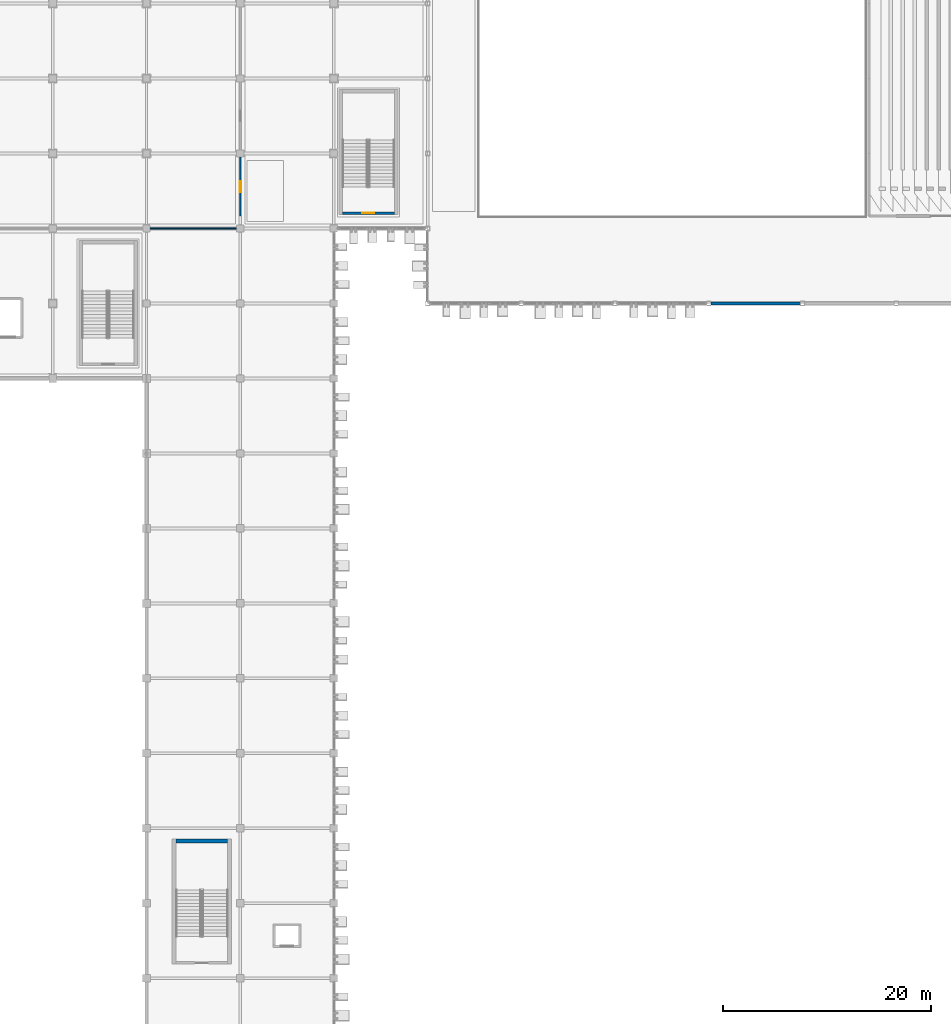
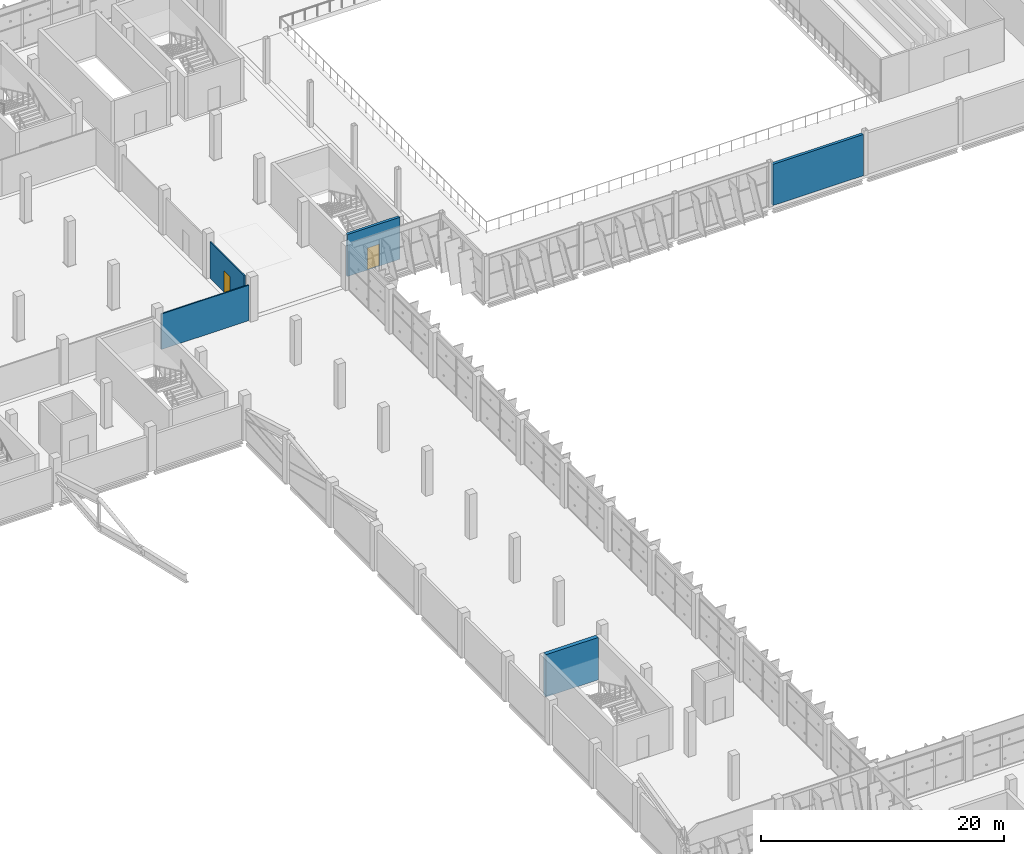
# One storey, part 114 of 151: 5 walls, 2 doors, 2 openings.
"""IFC4 building model written with IfcOpenShell, lengths in metres."""

from ifc_helpers import new_model, si_unit, direction, frame, frame_2d, origin, place, context, subcontext, project, spatial, rectangle, extrude, material, layer, layer_set, type_object, element, fill, save


model = new_model("IFC4")

# Units and contexts
model_context = context("Model", 3, precision=1e-05, world=origin(), true_north=direction((0.0, 1.0)))
body_context = subcontext(model_context, "Body", "Model", "MODEL_VIEW")
ifc_project = project(units=[si_unit("LENGTHUNIT", "METRE"), si_unit("AREAUNIT", "SQUARE_METRE"), si_unit("VOLUMEUNIT", "CUBIC_METRE"), si_unit("PLANEANGLEUNIT", "RADIAN"), si_unit("MASSUNIT", "GRAM", prefix="KILO")], contexts=[model_context])

# Site, building, storey
site_placement = place(None, origin())
site = spatial("IfcSite", under=ifc_project, at=site_placement, CompositionType="ELEMENT")
building_placement = place(site_placement, origin())
building = spatial("IfcBuilding", under=site, at=building_placement, Name="Celestram Park Convention Centre", CompositionType="ELEMENT")
storey_placement = place(building_placement, frame((0.0, 0.0, 10.800048828125)))
storey = spatial("IfcBuildingStorey", under=building, at=storey_placement, Name="L02", CompositionType="ELEMENT", Elevation=10.800048828125)

# Wall, opening, door
ifc_material_1 = material(Name="Concrete Block Masonry C25/30", Category="masonry")
ifc_layer_1 = layer(ifc_material_1, 0.25)
ifc_layer_set_1 = layer_set([ifc_layer_1], Name="Concrete Block Masonry C25/30")
wall_type_1 = type_object("IfcWallType", Name="ARC-WL-COR250", PredefinedType="STANDARD", material=ifc_layer_set_1)
wall_1_placement = place(storey_placement, frame((144.840087890625, 123.875, 0.0), z_axis=(0.0, 0.0, 1.0), x_axis=(1.0, 0.0, 0.0)))
wall_1 = element("IfcWall", 1, at=wall_1_placement, inside=storey, type_object=wall_type_1, Name="Core S10 stair entrance wall", PredefinedType="STANDARD", context=body_context, shape_type="SweptSolid", body=[
    extrude(rectangle(XDim=4.9599609375, YDim=0.25, at=frame_2d((2.47998046875, 0.0))), origin(), (0.0, 0.0, 1.0), 4.219970703125),
])
opening_1_placement = place(wall_1_placement, frame((1.905029296875, 0.0, 0.0)))
opening_1 = element("IfcOpeningElement", 2, at=opening_1_placement, cuts=wall_1, Name="Opening D-ST1", PredefinedType="OPENING", context=body_context, shape_type="SweptSolid", body=[
    extrude(rectangle(XDim=1.14990234375, YDim=2.199951171875, at=frame_2d((0.574951171875, 1.10009765625))), frame((0.0, 0.135009765625, 0.0), z_axis=(0.0, -1.0, 0.0), x_axis=(1.0, 0.0, 0.0)), (0.0, 0.0, 1.0), 0.27001953125),
])
ifc_material_2 = material(Name="Fire-Rated Hollow Metal Steel ASTM A653", Category="steel")
door_type_1 = type_object("IfcDoorType", Name="ARC-DR-ST115", OperationType="NOTDEFINED", PredefinedType="DOOR", material=ifc_material_2)
door_1_placement = place(opening_1_placement, origin())
door_1 = element("IfcDoor", 3, at=door_1_placement, inside=storey, type_object=door_type_1, Name="Exit stair ST-10 fire door", OperationType="SINGLE_SWING_LEFT", OverallHeight=2.199951171875, OverallWidth=1.14990234375, PredefinedType="DOOR", context=body_context, shape_type="SweptSolid", body=[
    extrude(rectangle(XDim=1.14990234375, YDim=2.199951171875, at=frame_2d((0.574951171875, 1.10009765625))), frame((0.0, 0.02490234375, 0.0), z_axis=(0.0, -1.0, 0.0), x_axis=(1.0, 0.0, 0.0)), (0.0, 0.0, 1.0), 0.050048828125),
])
fill(opening_1, door_1)

# Walls
ifc_material_3 = material(Name="Precast Concrete C40/50", Category="concrete")
ifc_layer_2 = layer(ifc_material_3, 0.260009765625)
ifc_layer_set_2 = layer_set([ifc_layer_2], Name="Precast Concrete C40/50")
wall_type_2 = type_object("IfcWallType", Name="ARC-WL-EXT260", PredefinedType="STANDARD", material=ifc_layer_set_2)
wall_2_placement = place(storey_placement, frame((188.802001953125, 115.199951171875, 0.0), z_axis=(0.0, 0.0, 1.0), x_axis=(-1.0, 0.0, 0.0)))
element("IfcWall", 4, at=wall_2_placement, inside=storey, type_object=wall_type_2, Name="Bush-hammered precast exterior wall WL-L02-EW166", PredefinedType="STANDARD", context=body_context, shape_type="SweptSolid", body=[
    extrude(rectangle(XDim=8.60400390625, YDim=0.260009765625, at=frame_2d((4.302001953125, 0.0))), origin(), (0.0, 0.0, 1.0), 4.14404296875),
])
ifc_material_4 = material(Name="Standard Gypsum & Steel Stud 120 mm", Category="steel")
ifc_layer_3 = layer(ifc_material_4, 0.1201171875)
ifc_layer_set_3 = layer_set([ifc_layer_3], Name="Standard Gypsum & Steel Stud 120 mm")
wall_type_3 = type_object("IfcWallType", Name="ARC-WL-PRT120", PredefinedType="PARTITIONING", material=ifc_layer_set_3)
wall_3_placement = place(storey_placement, frame((126.347900390625, 122.39990234375, 0.0), z_axis=(0.0, 0.0, 1.0), x_axis=(1.0, 0.0, 0.0)))
element("IfcWall", 5, at=wall_3_placement, inside=storey, type_object=wall_type_3, Name="Interior partition WL-L02-IN0806", PredefinedType="PARTITIONING", context=body_context, shape_type="SweptSolid", body=[
    extrude(rectangle(XDim=8.30419921875, YDim=0.1201171875, at=frame_2d((4.152099609375, 0.0))), origin(), (0.0, 0.0, 1.0), 3.56689453125),
])

# Wall, opening, door
wall_4_placement = place(storey_placement, frame((135.0, 123.60009765625, 0.0), z_axis=(0.0, 0.0, 1.0), x_axis=(0.0, 1.0, 0.0)))
wall_4 = element("IfcWall", 6, at=wall_4_placement, inside=storey, type_object=wall_type_3, Name="Interior partition WL-L02-IN0852", PredefinedType="PARTITIONING", context=body_context, shape_type="SweptSolid", body=[
    extrude(rectangle(XDim=5.65185546875, YDim=0.1201171875, at=frame_2d((2.825927734375, 0.0))), origin(), (0.0, 0.0, 1.0), 3.637939453125),
])
opening_2_placement = place(wall_4_placement, frame((2.301025390625, 0.0, 0.0)))
opening_2 = element("IfcOpeningElement", 7, at=opening_2_placement, cuts=wall_4, Name="Opening D-06", PredefinedType="OPENING", context=body_context, shape_type="SweptSolid", body=[
    extrude(rectangle(XDim=1.050048828125, YDim=2.14990234375, at=frame_2d((0.52490234375, 1.074951171875))), frame((0.0, 0.070068359375, 0.0), z_axis=(0.0, -1.0, 0.0), x_axis=(1.0, 0.0, 0.0)), (0.0, 0.0, 1.0), 0.14013671875),
])
ifc_material_5 = material(Name="Solid Core White Oak Single Door", Category="wood")
door_type_2 = type_object("IfcDoorType", Name="ARC-DR-RM105", OperationType="NOTDEFINED", PredefinedType="DOOR", material=ifc_material_5)
door_2_placement = place(opening_2_placement, origin())
door_2 = element("IfcDoor", 8, at=door_2_placement, inside=storey, type_object=door_type_2, Name="Cosmic Horizon Banquet Gallery entrance door", OperationType="SINGLE_SWING_RIGHT", OverallHeight=2.14990234375, OverallWidth=1.050048828125, PredefinedType="DOOR", context=body_context, shape_type="SweptSolid", body=[
    extrude(rectangle(XDim=1.050048828125, YDim=2.14990234375, at=frame_2d((0.52490234375, 1.074951171875))), frame((0.0, 0.02490234375, 0.0), z_axis=(0.0, -1.0, 0.0), x_axis=(1.0, 0.0, 0.0)), (0.0, 0.0, 1.0), 0.050048828125),
])
fill(opening_2, door_2)

# Wall
ifc_material_6 = material(Name="Concrete C40/50", Category="concrete")
ifc_layer_4 = layer(ifc_material_6, 0.3798828125)
ifc_layer_set_4 = layer_set([ifc_layer_4], Name="Concrete C40/50")
wall_type_4 = type_object("IfcWallType", Name="STR-WL-SHR380", PredefinedType="SHEAR", material=ifc_layer_set_4)
wall_5_placement = place(storey_placement, frame((128.840087890625, 63.590087890625, 0.0), z_axis=(0.0, 0.0, 1.0), x_axis=(1.0, 0.0, 0.0)))
element("IfcWall", 9, at=wall_5_placement, inside=storey, type_object=wall_type_4, Name="Core C4 shear wall F", PredefinedType="SHEAR", context=body_context, shape_type="SweptSolid", body=[
    extrude(rectangle(XDim=4.9599609375, YDim=0.3798828125, at=frame_2d((2.47998046875, 0.0))), origin(), (0.0, 0.0, 1.0), 4.25),
])

save(model, "model.ifc")
